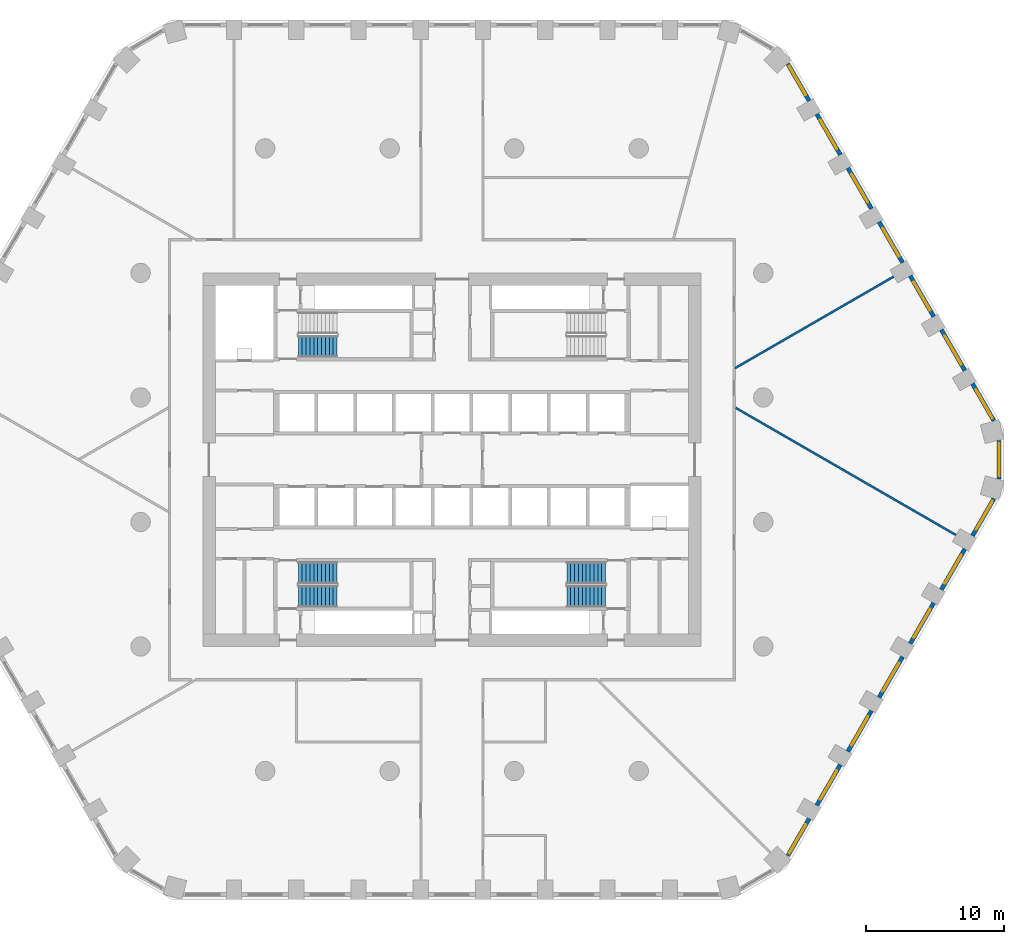
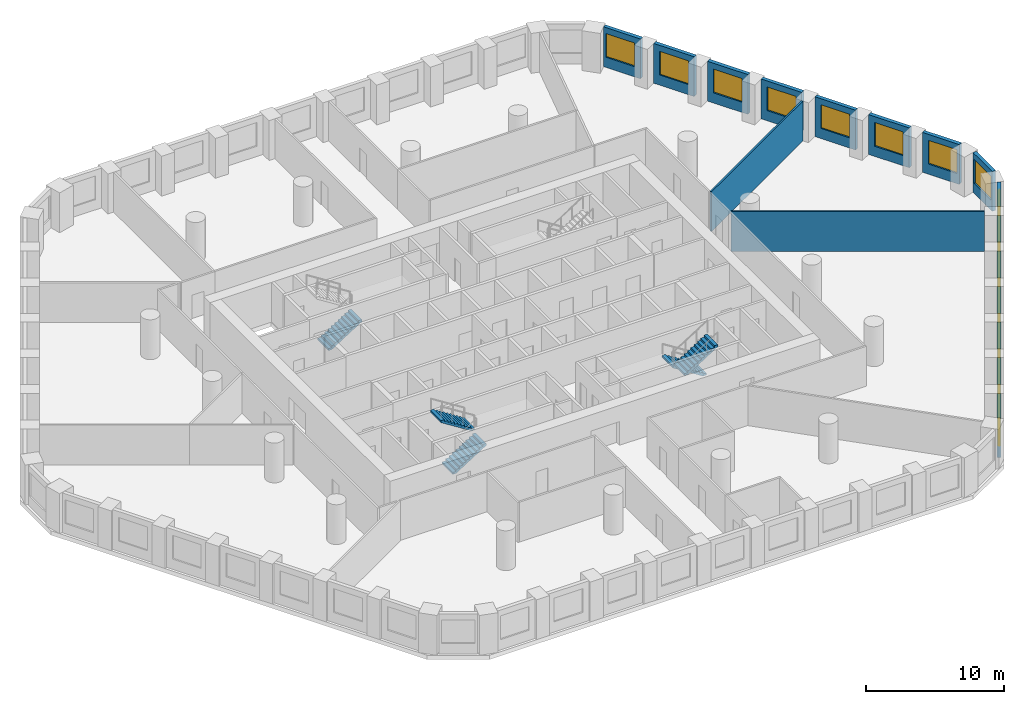
# One storey, part 8 of 10: 17 walls, 15 windows, 5 stair flights, 15 openings, 3 elements without a shape of their own.
"""IFC4 building model written with IfcOpenShell, lengths in metres."""

from ifc_helpers import new_model, si_unit, direction, frame, frame_2d, origin, place, context, subcontext, project, spatial, polyline, rectangle, outline, extrude, material, layer, layer_set, type_object, element, fill, aggregate, save


model = new_model("IFC4")

# Units and contexts
model_context = context("Model", 3, precision=1e-05, world=origin(), true_north=direction((0.0, 1.0)))
body_context = subcontext(model_context, "Body", "Model", "MODEL_VIEW")
ifc_project = project(units=[si_unit("LENGTHUNIT", "METRE"), si_unit("AREAUNIT", "SQUARE_METRE"), si_unit("VOLUMEUNIT", "CUBIC_METRE"), si_unit("PLANEANGLEUNIT", "RADIAN"), si_unit("MASSUNIT", "GRAM", prefix="KILO")], contexts=[model_context])

# Site, building, storey
site_placement = place(None, origin())
site = spatial("IfcSite", under=ifc_project, at=site_placement, CompositionType="ELEMENT")
building_placement = place(site_placement, origin())
building = spatial("IfcBuilding", under=site, at=building_placement, Name="Dhurran Vertical Campus", CompositionType="ELEMENT")
storey_placement = place(building_placement, frame((0.0, 0.0, 45.60009765625)))
storey = spatial("IfcBuildingStorey", under=building, at=storey_placement, Name="L10", CompositionType="ELEMENT", Elevation=45.60009765625)

# Wall, opening, window
ifc_material_1 = material(Name="Precast concrete C50/60", Category="concrete")
ifc_layer_1 = layer(ifc_material_1, 0.300048828125)
ifc_layer_set_1 = layer_set([ifc_layer_1], Name="Precast concrete C50/60")
wall_type_1 = type_object("IfcWallType", Name="Precast spandrel wall 300", PredefinedType="SOLIDWALL", material=ifc_layer_set_1)
wall_1_placement = place(storey_placement, frame((24.2734375, -28.611083984375, 0.0), z_axis=(0.0, 0.0, 1.0), x_axis=(0.499995950774, 0.866027741594, 0.0)))
wall_1 = element("IfcWall", 1, at=wall_1_placement, inside=storey, type_object=wall_type_1, Name="EW1 L10.10", PredefinedType="SOLIDWALL", context=body_context, shape_type="SweptSolid", body=[
    extrude(rectangle(XDim=3.0908203125, YDim=0.300048828125, at=frame_2d((1.54541015625, 0.0))), origin(), (0.0, 0.0, 1.0), 3.52490234375),
])
opening_1_placement = place(wall_1_placement, frame((0.191162109375, 0.0, 0.89990234375)))
opening_1 = element("IfcOpeningElement", 2, at=opening_1_placement, cuts=wall_1, Name="Opening WT1", PredefinedType="OPENING", context=body_context, shape_type="SweptSolid", body=[
    extrude(rectangle(XDim=2.39990234375, YDim=2.10009765625, at=frame_2d((1.199951171875, 1.050048828125))), frame((0.0, 0.159912109375, 0.0), z_axis=(0.0, -1.0, 0.0), x_axis=(1.0, 0.0, 0.0)), (0.0, 0.0, 1.0), 0.320068359375),
])
ifc_material_2 = material(Name="Aluminium frame with solar-control glass", Category="aluminium")
window_type = type_object("IfcWindowType", Name="Punched window 2400 x 2100", PartitioningType="SINGLE_PANEL", PredefinedType="WINDOW", material=ifc_material_2)
window_1_placement = place(opening_1_placement, origin())
window_1 = element("IfcWindow", 3, at=window_1_placement, inside=storey, type_object=window_type, Name="WT1 L10.10", OverallHeight=2.10009765625, OverallWidth=2.39990234375, PartitioningType="SINGLE_PANEL", PredefinedType="WINDOW", context=body_context, shape_type="SweptSolid", body=[
    extrude(rectangle(XDim=2.39990234375, YDim=2.10009765625, at=frame_2d((1.199951171875, 1.050048828125))), frame((0.0, 0.030029296875, 0.0), z_axis=(0.0, -1.0, 0.0), x_axis=(1.0, 0.0, 0.0)), (0.0, 0.0, 1.0), 0.06005859375),
])
fill(opening_1, window_1)

wall_2_placement = place(storey_placement, frame((26.369384765625, -24.98095703125, 0.0), z_axis=(0.0, 0.0, 1.0), x_axis=(0.499993955907, 0.866028893315, 0.0)))
wall_2 = element("IfcWall", 4, at=wall_2_placement, inside=storey, type_object=wall_type_1, Name="EW1 L10.11", PredefinedType="SOLIDWALL", context=body_context, shape_type="SweptSolid", body=[
    extrude(rectangle(XDim=3.39892578125, YDim=0.300048828125, at=frame_2d((1.699462890625, 0.0))), origin(), (0.0, 0.0, 1.0), 3.52490234375),
])
opening_2_placement = place(wall_2_placement, frame((0.49951171875, 0.0, 0.89990234375)))
opening_2 = element("IfcOpeningElement", 5, at=opening_2_placement, cuts=wall_2, Name="Opening WT1", PredefinedType="OPENING", context=body_context, shape_type="SweptSolid", body=[
    extrude(rectangle(XDim=2.39990234375, YDim=2.10009765625, at=frame_2d((1.199951171875, 1.050048828125))), frame((0.0, 0.159912109375, 0.0), z_axis=(0.0, -1.0, 0.0), x_axis=(1.0, 0.0, 0.0)), (0.0, 0.0, 1.0), 0.320068359375),
])
window_2_placement = place(opening_2_placement, origin())
window_2 = element("IfcWindow", 6, at=window_2_placement, inside=storey, type_object=window_type, Name="WT1 L10.11", OverallHeight=2.10009765625, OverallWidth=2.39990234375, PartitioningType="SINGLE_PANEL", PredefinedType="WINDOW", context=body_context, shape_type="SweptSolid", body=[
    extrude(rectangle(XDim=2.39990234375, YDim=2.10009765625, at=frame_2d((1.199951171875, 1.050048828125))), frame((0.0, 0.030029296875, 0.0), z_axis=(0.0, -1.0, 0.0), x_axis=(1.0, 0.0, 0.0)), (0.0, 0.0, 1.0), 0.06005859375),
])
fill(opening_2, window_2)

wall_3_placement = place(storey_placement, frame((28.619384765625, -21.083740234375, 0.0), z_axis=(0.0, 0.0, 1.0), x_axis=(0.499993955907, 0.866028893315, 0.0)))
wall_3 = element("IfcWall", 7, at=wall_3_placement, inside=storey, type_object=wall_type_1, Name="EW1 L10.12", PredefinedType="SOLIDWALL", context=body_context, shape_type="SweptSolid", body=[
    extrude(rectangle(XDim=3.39892578125, YDim=0.300048828125, at=frame_2d((1.699462890625, 0.0))), origin(), (0.0, 0.0, 1.0), 3.52490234375),
])
opening_3_placement = place(wall_3_placement, frame((0.49951171875, 0.0, 0.89990234375)))
opening_3 = element("IfcOpeningElement", 8, at=opening_3_placement, cuts=wall_3, Name="Opening WT1", PredefinedType="OPENING", context=body_context, shape_type="SweptSolid", body=[
    extrude(rectangle(XDim=2.39990234375, YDim=2.10009765625, at=frame_2d((1.199951171875, 1.050048828125))), frame((0.0, 0.159912109375, 0.0), z_axis=(0.0, -1.0, 0.0), x_axis=(1.0, 0.0, 0.0)), (0.0, 0.0, 1.0), 0.320068359375),
])
window_3_placement = place(opening_3_placement, origin())
window_3 = element("IfcWindow", 9, at=window_3_placement, inside=storey, type_object=window_type, Name="WT1 L10.12", OverallHeight=2.10009765625, OverallWidth=2.39990234375, PartitioningType="SINGLE_PANEL", PredefinedType="WINDOW", context=body_context, shape_type="SweptSolid", body=[
    extrude(rectangle(XDim=2.39990234375, YDim=2.10009765625, at=frame_2d((1.199951171875, 1.050048828125))), frame((0.0, 0.030029296875, 0.0), z_axis=(0.0, -1.0, 0.0), x_axis=(1.0, 0.0, 0.0)), (0.0, 0.0, 1.0), 0.06005859375),
])
fill(opening_3, window_3)

wall_4_placement = place(storey_placement, frame((30.869384765625, -17.186767578125, 0.0), z_axis=(0.0, 0.0, 1.0), x_axis=(0.499993955907, 0.866028893315, 0.0)))
wall_4 = element("IfcWall", 10, at=wall_4_placement, inside=storey, type_object=wall_type_1, Name="EW1 L10.13", PredefinedType="SOLIDWALL", context=body_context, shape_type="SweptSolid", body=[
    extrude(rectangle(XDim=3.39892578125, YDim=0.300048828125, at=frame_2d((1.699462890625, 0.0))), origin(), (0.0, 0.0, 1.0), 3.52490234375),
])
opening_4_placement = place(wall_4_placement, frame((0.49951171875, 0.0, 0.89990234375)))
opening_4 = element("IfcOpeningElement", 11, at=opening_4_placement, cuts=wall_4, Name="Opening WT1", PredefinedType="OPENING", context=body_context, shape_type="SweptSolid", body=[
    extrude(rectangle(XDim=2.39990234375, YDim=2.10009765625, at=frame_2d((1.199951171875, 1.050048828125))), frame((0.0, 0.159912109375, 0.0), z_axis=(0.0, -1.0, 0.0), x_axis=(1.0, 0.0, 0.0)), (0.0, 0.0, 1.0), 0.320068359375),
])
window_4_placement = place(opening_4_placement, origin())
window_4 = element("IfcWindow", 12, at=window_4_placement, inside=storey, type_object=window_type, Name="WT1 L10.13", OverallHeight=2.10009765625, OverallWidth=2.39990234375, PartitioningType="SINGLE_PANEL", PredefinedType="WINDOW", context=body_context, shape_type="SweptSolid", body=[
    extrude(rectangle(XDim=2.39990234375, YDim=2.10009765625, at=frame_2d((1.199951171875, 1.050048828125))), frame((0.0, 0.030029296875, 0.0), z_axis=(0.0, -1.0, 0.0), x_axis=(1.0, 0.0, 0.0)), (0.0, 0.0, 1.0), 0.06005859375),
])
fill(opening_4, window_4)

wall_5_placement = place(storey_placement, frame((33.119384765625, -13.28955078125, 0.0), z_axis=(0.0, 0.0, 1.0), x_axis=(0.499993955907, 0.866028893315, 0.0)))
wall_5 = element("IfcWall", 13, at=wall_5_placement, inside=storey, type_object=wall_type_1, Name="EW1 L10.14", PredefinedType="SOLIDWALL", context=body_context, shape_type="SweptSolid", body=[
    extrude(rectangle(XDim=3.39892578125, YDim=0.300048828125, at=frame_2d((1.699462890625, 0.0))), origin(), (0.0, 0.0, 1.0), 3.52490234375),
])
opening_5_placement = place(wall_5_placement, frame((0.49951171875, 0.0, 0.89990234375)))
opening_5 = element("IfcOpeningElement", 14, at=opening_5_placement, cuts=wall_5, Name="Opening WT1", PredefinedType="OPENING", context=body_context, shape_type="SweptSolid", body=[
    extrude(rectangle(XDim=2.39990234375, YDim=2.10009765625, at=frame_2d((1.199951171875, 1.050048828125))), frame((0.0, 0.159912109375, 0.0), z_axis=(0.0, -1.0, 0.0), x_axis=(1.0, 0.0, 0.0)), (0.0, 0.0, 1.0), 0.320068359375),
])
window_5_placement = place(opening_5_placement, origin())
window_5 = element("IfcWindow", 15, at=window_5_placement, inside=storey, type_object=window_type, Name="WT1 L10.14", OverallHeight=2.10009765625, OverallWidth=2.39990234375, PartitioningType="SINGLE_PANEL", PredefinedType="WINDOW", context=body_context, shape_type="SweptSolid", body=[
    extrude(rectangle(XDim=2.39990234375, YDim=2.10009765625, at=frame_2d((1.199951171875, 1.050048828125))), frame((0.0, 0.030029296875, 0.0), z_axis=(0.0, -1.0, 0.0), x_axis=(1.0, 0.0, 0.0)), (0.0, 0.0, 1.0), 0.06005859375),
])
fill(opening_5, window_5)

wall_6_placement = place(storey_placement, frame((35.369384765625, -9.392578125, 0.0), z_axis=(0.0, 0.0, 1.0), x_axis=(0.499993955907, 0.866028893315, 0.0)))
wall_6 = element("IfcWall", 16, at=wall_6_placement, inside=storey, type_object=wall_type_1, Name="EW1 L10.15", PredefinedType="SOLIDWALL", context=body_context, shape_type="SweptSolid", body=[
    extrude(rectangle(XDim=3.39892578125, YDim=0.300048828125, at=frame_2d((1.699462890625, 0.0))), origin(), (0.0, 0.0, 1.0), 3.52490234375),
])
opening_6_placement = place(wall_6_placement, frame((0.49951171875, 0.0, 0.89990234375)))
opening_6 = element("IfcOpeningElement", 17, at=opening_6_placement, cuts=wall_6, Name="Opening WT1", PredefinedType="OPENING", context=body_context, shape_type="SweptSolid", body=[
    extrude(rectangle(XDim=2.39990234375, YDim=2.10009765625, at=frame_2d((1.199951171875, 1.050048828125))), frame((0.0, 0.159912109375, 0.0), z_axis=(0.0, -1.0, 0.0), x_axis=(1.0, 0.0, 0.0)), (0.0, 0.0, 1.0), 0.320068359375),
])
window_6_placement = place(opening_6_placement, origin())
window_6 = element("IfcWindow", 18, at=window_6_placement, inside=storey, type_object=window_type, Name="WT1 L10.15", OverallHeight=2.10009765625, OverallWidth=2.39990234375, PartitioningType="SINGLE_PANEL", PredefinedType="WINDOW", context=body_context, shape_type="SweptSolid", body=[
    extrude(rectangle(XDim=2.39990234375, YDim=2.10009765625, at=frame_2d((1.199951171875, 1.050048828125))), frame((0.0, 0.030029296875, 0.0), z_axis=(0.0, -1.0, 0.0), x_axis=(1.0, 0.0, 0.0)), (0.0, 0.0, 1.0), 0.06005859375),
])
fill(opening_6, window_6)

wall_7_placement = place(storey_placement, frame((37.619384765625, -5.495361328125, 0.0), z_axis=(0.0, 0.0, 1.0), x_axis=(0.49997090907, 0.866042198789, 0.0)))
wall_7 = element("IfcWall", 19, at=wall_7_placement, inside=storey, type_object=wall_type_1, Name="EW1 L10.16", PredefinedType="SOLIDWALL", context=body_context, shape_type="SweptSolid", body=[
    extrude(rectangle(XDim=3.090576171875, YDim=0.300048828125, at=frame_2d((1.54541015625, 0.0))), origin(), (0.0, 0.0, 1.0), 3.52490234375),
])
opening_7_placement = place(wall_7_placement, frame((0.49951171875, 0.0, 0.89990234375)))
opening_7 = element("IfcOpeningElement", 20, at=opening_7_placement, cuts=wall_7, Name="Opening WT1", PredefinedType="OPENING", context=body_context, shape_type="SweptSolid", body=[
    extrude(rectangle(XDim=2.39990234375, YDim=2.10009765625, at=frame_2d((1.199951171875, 1.050048828125))), frame((0.0, 0.159912109375, 0.0), z_axis=(0.0, -1.0, 0.0), x_axis=(1.0, 0.0, 0.0)), (0.0, 0.0, 1.0), 0.320068359375),
])
window_7_placement = place(opening_7_placement, origin())
window_7 = element("IfcWindow", 21, at=window_7_placement, inside=storey, type_object=window_type, Name="WT1 L10.16", OverallHeight=2.10009765625, OverallWidth=2.39990234375, PartitioningType="SINGLE_PANEL", PredefinedType="WINDOW", context=body_context, shape_type="SweptSolid", body=[
    extrude(rectangle(XDim=2.39990234375, YDim=2.10009765625, at=frame_2d((1.199951171875, 1.050048828125))), frame((0.0, 0.030029296875, 0.0), z_axis=(0.0, -1.0, 0.0), x_axis=(1.0, 0.0, 0.0)), (0.0, 0.0, 1.0), 0.06005859375),
])
fill(opening_7, window_7)

wall_8_placement = place(storey_placement, frame((39.547119140625, -1.39111328125, 0.0), z_axis=(0.0, 0.0, 1.0), x_axis=(0.0, 1.0, 0.0)))
wall_8 = element("IfcWall", 22, at=wall_8_placement, inside=storey, type_object=wall_type_1, Name="EW1 L10.17", PredefinedType="SOLIDWALL", context=body_context, shape_type="SweptSolid", body=[
    extrude(rectangle(XDim=2.7822265625, YDim=0.300048828125, at=frame_2d((1.39111328125, 0.0))), origin(), (0.0, 0.0, 1.0), 3.52490234375),
])
opening_8_placement = place(wall_8_placement, frame((0.191162109375, 0.0, 0.89990234375)))
opening_8 = element("IfcOpeningElement", 23, at=opening_8_placement, cuts=wall_8, Name="Opening WT1", PredefinedType="OPENING", context=body_context, shape_type="SweptSolid", body=[
    extrude(rectangle(XDim=2.39990234375, YDim=2.10009765625, at=frame_2d((1.199951171875, 1.050048828125))), frame((0.0, 0.159912109375, 0.0), z_axis=(0.0, -1.0, 0.0), x_axis=(1.0, 0.0, 0.0)), (0.0, 0.0, 1.0), 0.320068359375),
])
window_8_placement = place(opening_8_placement, origin())
window_8 = element("IfcWindow", 24, at=window_8_placement, inside=storey, type_object=window_type, Name="WT1 L10.17", OverallHeight=2.10009765625, OverallWidth=2.39990234375, PartitioningType="SINGLE_PANEL", PredefinedType="WINDOW", context=body_context, shape_type="SweptSolid", body=[
    extrude(rectangle(XDim=2.39990234375, YDim=2.10009765625, at=frame_2d((1.199951171875, 1.050048828125))), frame((0.0, 0.030029296875, 0.0), z_axis=(0.0, -1.0, 0.0), x_axis=(1.0, 0.0, 0.0)), (0.0, 0.0, 1.0), 0.06005859375),
])
fill(opening_8, window_8)

wall_9_placement = place(storey_placement, frame((39.16455078125, 2.81884765625, 0.0), z_axis=(0.0, 0.0, 1.0), x_axis=(-0.49997090907, 0.866042198789, 0.0)))
wall_9 = element("IfcWall", 25, at=wall_9_placement, inside=storey, type_object=wall_type_1, Name="EW1 L10.18", PredefinedType="SOLIDWALL", context=body_context, shape_type="SweptSolid", body=[
    extrude(rectangle(XDim=3.090576171875, YDim=0.300048828125, at=frame_2d((1.54541015625, 0.0))), origin(), (0.0, 0.0, 1.0), 3.52490234375),
])
opening_9_placement = place(wall_9_placement, frame((0.19091796875, 0.0, 0.89990234375)))
opening_9 = element("IfcOpeningElement", 26, at=opening_9_placement, cuts=wall_9, Name="Opening WT1", PredefinedType="OPENING", context=body_context, shape_type="SweptSolid", body=[
    extrude(rectangle(XDim=2.39990234375, YDim=2.10009765625, at=frame_2d((1.199951171875, 1.050048828125))), frame((0.0, 0.159912109375, 0.0), z_axis=(0.0, -1.0, 0.0), x_axis=(1.0, 0.0, 0.0)), (0.0, 0.0, 1.0), 0.320068359375),
])
window_9_placement = place(opening_9_placement, origin())
window_9 = element("IfcWindow", 27, at=window_9_placement, inside=storey, type_object=window_type, Name="WT1 L10.18", OverallHeight=2.10009765625, OverallWidth=2.39990234375, PartitioningType="SINGLE_PANEL", PredefinedType="WINDOW", context=body_context, shape_type="SweptSolid", body=[
    extrude(rectangle(XDim=2.39990234375, YDim=2.10009765625, at=frame_2d((1.199951171875, 1.050048828125))), frame((0.0, 0.030029296875, 0.0), z_axis=(0.0, -1.0, 0.0), x_axis=(1.0, 0.0, 0.0)), (0.0, 0.0, 1.0), 0.06005859375),
])
fill(opening_9, window_9)

wall_10_placement = place(storey_placement, frame((37.06884765625, 6.448974609375, 0.0), z_axis=(0.0, 0.0, 1.0), x_axis=(-0.499993955907, 0.866028893315, 0.0)))
wall_10 = element("IfcWall", 28, at=wall_10_placement, inside=storey, type_object=wall_type_1, Name="EW1 L10.19", PredefinedType="SOLIDWALL", context=body_context, shape_type="SweptSolid", body=[
    extrude(rectangle(XDim=3.39892578125, YDim=0.300048828125, at=frame_2d((1.699462890625, 0.0))), origin(), (0.0, 0.0, 1.0), 3.52490234375),
])
opening_10_placement = place(wall_10_placement, frame((0.49951171875, 0.0, 0.89990234375)))
opening_10 = element("IfcOpeningElement", 29, at=opening_10_placement, cuts=wall_10, Name="Opening WT1", PredefinedType="OPENING", context=body_context, shape_type="SweptSolid", body=[
    extrude(rectangle(XDim=2.39990234375, YDim=2.10009765625, at=frame_2d((1.199951171875, 1.050048828125))), frame((0.0, 0.159912109375, 0.0), z_axis=(0.0, -1.0, 0.0), x_axis=(1.0, 0.0, 0.0)), (0.0, 0.0, 1.0), 0.320068359375),
])
window_10_placement = place(opening_10_placement, origin())
window_10 = element("IfcWindow", 30, at=window_10_placement, inside=storey, type_object=window_type, Name="WT1 L10.19", OverallHeight=2.10009765625, OverallWidth=2.39990234375, PartitioningType="SINGLE_PANEL", PredefinedType="WINDOW", context=body_context, shape_type="SweptSolid", body=[
    extrude(rectangle(XDim=2.39990234375, YDim=2.10009765625, at=frame_2d((1.199951171875, 1.050048828125))), frame((0.0, 0.030029296875, 0.0), z_axis=(0.0, -1.0, 0.0), x_axis=(1.0, 0.0, 0.0)), (0.0, 0.0, 1.0), 0.06005859375),
])
fill(opening_10, window_10)

wall_11_placement = place(storey_placement, frame((34.81884765625, 10.345947265625, 0.0), z_axis=(0.0, 0.0, 1.0), x_axis=(-0.499993955907, 0.866028893315, 0.0)))
wall_11 = element("IfcWall", 31, at=wall_11_placement, inside=storey, type_object=wall_type_1, Name="EW1 L10.20", PredefinedType="SOLIDWALL", context=body_context, shape_type="SweptSolid", body=[
    extrude(rectangle(XDim=3.39892578125, YDim=0.300048828125, at=frame_2d((1.699462890625, 0.0))), origin(), (0.0, 0.0, 1.0), 3.52490234375),
])
opening_11_placement = place(wall_11_placement, frame((0.49951171875, 0.0, 0.89990234375)))
opening_11 = element("IfcOpeningElement", 32, at=opening_11_placement, cuts=wall_11, Name="Opening WT1", PredefinedType="OPENING", context=body_context, shape_type="SweptSolid", body=[
    extrude(rectangle(XDim=2.39990234375, YDim=2.10009765625, at=frame_2d((1.199951171875, 1.050048828125))), frame((0.0, 0.159912109375, 0.0), z_axis=(0.0, -1.0, 0.0), x_axis=(1.0, 0.0, 0.0)), (0.0, 0.0, 1.0), 0.320068359375),
])
window_11_placement = place(opening_11_placement, origin())
window_11 = element("IfcWindow", 33, at=window_11_placement, inside=storey, type_object=window_type, Name="WT1 L10.20", OverallHeight=2.10009765625, OverallWidth=2.39990234375, PartitioningType="SINGLE_PANEL", PredefinedType="WINDOW", context=body_context, shape_type="SweptSolid", body=[
    extrude(rectangle(XDim=2.39990234375, YDim=2.10009765625, at=frame_2d((1.199951171875, 1.050048828125))), frame((0.0, 0.030029296875, 0.0), z_axis=(0.0, -1.0, 0.0), x_axis=(1.0, 0.0, 0.0)), (0.0, 0.0, 1.0), 0.06005859375),
])
fill(opening_11, window_11)

wall_12_placement = place(storey_placement, frame((32.56884765625, 14.2431640625, 0.0), z_axis=(0.0, 0.0, 1.0), x_axis=(-0.499993955907, 0.866028893315, 0.0)))
wall_12 = element("IfcWall", 34, at=wall_12_placement, inside=storey, type_object=wall_type_1, Name="EW1 L10.21", PredefinedType="SOLIDWALL", context=body_context, shape_type="SweptSolid", body=[
    extrude(rectangle(XDim=3.39892578125, YDim=0.300048828125, at=frame_2d((1.699462890625, 0.0))), origin(), (0.0, 0.0, 1.0), 3.52490234375),
])
opening_12_placement = place(wall_12_placement, frame((0.49951171875, 0.0, 0.89990234375)))
opening_12 = element("IfcOpeningElement", 35, at=opening_12_placement, cuts=wall_12, Name="Opening WT1", PredefinedType="OPENING", context=body_context, shape_type="SweptSolid", body=[
    extrude(rectangle(XDim=2.39990234375, YDim=2.10009765625, at=frame_2d((1.199951171875, 1.050048828125))), frame((0.0, 0.159912109375, 0.0), z_axis=(0.0, -1.0, 0.0), x_axis=(1.0, 0.0, 0.0)), (0.0, 0.0, 1.0), 0.320068359375),
])
window_12_placement = place(opening_12_placement, origin())
window_12 = element("IfcWindow", 36, at=window_12_placement, inside=storey, type_object=window_type, Name="WT1 L10.21", OverallHeight=2.10009765625, OverallWidth=2.39990234375, PartitioningType="SINGLE_PANEL", PredefinedType="WINDOW", context=body_context, shape_type="SweptSolid", body=[
    extrude(rectangle(XDim=2.39990234375, YDim=2.10009765625, at=frame_2d((1.199951171875, 1.050048828125))), frame((0.0, 0.030029296875, 0.0), z_axis=(0.0, -1.0, 0.0), x_axis=(1.0, 0.0, 0.0)), (0.0, 0.0, 1.0), 0.06005859375),
])
fill(opening_12, window_12)

wall_13_placement = place(storey_placement, frame((30.31884765625, 18.14013671875, 0.0), z_axis=(0.0, 0.0, 1.0), x_axis=(-0.499993955907, 0.866028893315, 0.0)))
wall_13 = element("IfcWall", 37, at=wall_13_placement, inside=storey, type_object=wall_type_1, Name="EW1 L10.22", PredefinedType="SOLIDWALL", context=body_context, shape_type="SweptSolid", body=[
    extrude(rectangle(XDim=3.39892578125, YDim=0.300048828125, at=frame_2d((1.699462890625, 0.0))), origin(), (0.0, 0.0, 1.0), 3.52490234375),
])
opening_13_placement = place(wall_13_placement, frame((0.49951171875, 0.0, 0.89990234375)))
opening_13 = element("IfcOpeningElement", 38, at=opening_13_placement, cuts=wall_13, Name="Opening WT1", PredefinedType="OPENING", context=body_context, shape_type="SweptSolid", body=[
    extrude(rectangle(XDim=2.39990234375, YDim=2.10009765625, at=frame_2d((1.199951171875, 1.050048828125))), frame((0.0, 0.159912109375, 0.0), z_axis=(0.0, -1.0, 0.0), x_axis=(1.0, 0.0, 0.0)), (0.0, 0.0, 1.0), 0.320068359375),
])
window_13_placement = place(opening_13_placement, origin())
window_13 = element("IfcWindow", 39, at=window_13_placement, inside=storey, type_object=window_type, Name="WT1 L10.22", OverallHeight=2.10009765625, OverallWidth=2.39990234375, PartitioningType="SINGLE_PANEL", PredefinedType="WINDOW", context=body_context, shape_type="SweptSolid", body=[
    extrude(rectangle(XDim=2.39990234375, YDim=2.10009765625, at=frame_2d((1.199951171875, 1.050048828125))), frame((0.0, 0.030029296875, 0.0), z_axis=(0.0, -1.0, 0.0), x_axis=(1.0, 0.0, 0.0)), (0.0, 0.0, 1.0), 0.06005859375),
])
fill(opening_13, window_13)

wall_14_placement = place(storey_placement, frame((28.06884765625, 22.037353515625, 0.0), z_axis=(0.0, 0.0, 1.0), x_axis=(-0.499993955907, 0.866028893315, 0.0)))
wall_14 = element("IfcWall", 40, at=wall_14_placement, inside=storey, type_object=wall_type_1, Name="EW1 L10.23", PredefinedType="SOLIDWALL", context=body_context, shape_type="SweptSolid", body=[
    extrude(rectangle(XDim=3.39892578125, YDim=0.300048828125, at=frame_2d((1.699462890625, 0.0))), origin(), (0.0, 0.0, 1.0), 3.52490234375),
])
opening_14_placement = place(wall_14_placement, frame((0.49951171875, 0.0, 0.89990234375)))
opening_14 = element("IfcOpeningElement", 41, at=opening_14_placement, cuts=wall_14, Name="Opening WT1", PredefinedType="OPENING", context=body_context, shape_type="SweptSolid", body=[
    extrude(rectangle(XDim=2.39990234375, YDim=2.10009765625, at=frame_2d((1.199951171875, 1.050048828125))), frame((0.0, 0.159912109375, 0.0), z_axis=(0.0, -1.0, 0.0), x_axis=(1.0, 0.0, 0.0)), (0.0, 0.0, 1.0), 0.320068359375),
])
window_14_placement = place(opening_14_placement, origin())
window_14 = element("IfcWindow", 42, at=window_14_placement, inside=storey, type_object=window_type, Name="WT1 L10.23", OverallHeight=2.10009765625, OverallWidth=2.39990234375, PartitioningType="SINGLE_PANEL", PredefinedType="WINDOW", context=body_context, shape_type="SweptSolid", body=[
    extrude(rectangle(XDim=2.39990234375, YDim=2.10009765625, at=frame_2d((1.199951171875, 1.050048828125))), frame((0.0, 0.030029296875, 0.0), z_axis=(0.0, -1.0, 0.0), x_axis=(1.0, 0.0, 0.0)), (0.0, 0.0, 1.0), 0.06005859375),
])
fill(opening_14, window_14)

wall_15_placement = place(storey_placement, frame((25.81884765625, 25.934326171875, 0.0), z_axis=(0.0, 0.0, 1.0), x_axis=(-0.499995950774, 0.866027741594, 0.0)))
wall_15 = element("IfcWall", 43, at=wall_15_placement, inside=storey, type_object=wall_type_1, Name="EW1 L10.24", PredefinedType="SOLIDWALL", context=body_context, shape_type="SweptSolid", body=[
    extrude(rectangle(XDim=3.0908203125, YDim=0.300048828125, at=frame_2d((1.54541015625, 0.0))), origin(), (0.0, 0.0, 1.0), 3.52490234375),
])
opening_15_placement = place(wall_15_placement, frame((0.49951171875, 0.0, 0.89990234375)))
opening_15 = element("IfcOpeningElement", 44, at=opening_15_placement, cuts=wall_15, Name="Opening WT1", PredefinedType="OPENING", context=body_context, shape_type="SweptSolid", body=[
    extrude(rectangle(XDim=2.39990234375, YDim=2.10009765625, at=frame_2d((1.199951171875, 1.050048828125))), frame((0.0, 0.159912109375, 0.0), z_axis=(0.0, -1.0, 0.0), x_axis=(1.0, 0.0, 0.0)), (0.0, 0.0, 1.0), 0.320068359375),
])
window_15_placement = place(opening_15_placement, origin())
window_15 = element("IfcWindow", 45, at=window_15_placement, inside=storey, type_object=window_type, Name="WT1 L10.24", OverallHeight=2.10009765625, OverallWidth=2.39990234375, PartitioningType="SINGLE_PANEL", PredefinedType="WINDOW", context=body_context, shape_type="SweptSolid", body=[
    extrude(rectangle(XDim=2.39990234375, YDim=2.10009765625, at=frame_2d((1.199951171875, 1.050048828125))), frame((0.0, 0.030029296875, 0.0), z_axis=(0.0, -1.0, 0.0), x_axis=(1.0, 0.0, 0.0)), (0.0, 0.0, 1.0), 0.06005859375),
])
fill(opening_15, window_15)

# Walls
ifc_material_3 = material(Name="Gypsum board partition on steel studs", Category="steel")
ifc_layer_2 = layer(ifc_material_3, 0.14990234375)
ifc_layer_set_2 = layer_set([ifc_layer_2], Name="Gypsum board partition on steel studs")
wall_type_2 = type_object("IfcWallType", Name="fl-PW-150 fixed partition", PredefinedType="PARTITIONING", material=ifc_layer_set_2)
wall_16_placement = place(storey_placement, frame((20.5126953125, 3.74609375, 0.0), z_axis=(0.0, 0.0, 1.0), x_axis=(0.866010916479, -0.500025091909, 0.0)))
element("IfcWall", 46, at=wall_16_placement, inside=storey, type_object=wall_type_2, Name="Partition 10-41", PredefinedType="PARTITIONING", context=body_context, shape_type="SweptSolid", body=[
    extrude(rectangle(XDim=18.365234375, YDim=0.14990234375, at=frame_2d((9.1826171875, 0.0))), origin(), (0.0, 0.0, 1.0), 3.52490234375),
])
wall_17_placement = place(storey_placement, frame((31.91748046875, 13.231201171875, 0.0), z_axis=(0.0, 0.0, 1.0), x_axis=(-0.866032788616, -0.499987208879, 0.0)))
element("IfcWall", 47, at=wall_17_placement, inside=storey, type_object=wall_type_2, Name="Partition 10-43", PredefinedType="PARTITIONING", context=body_context, shape_type="SweptSolid", body=[
    extrude(rectangle(XDim=13.223876953125, YDim=0.14990234375, at=frame_2d((6.61181640625, 0.0))), origin(), (0.0, 0.0, 1.0), 3.52490234375),
])

# Stair, stair flight
ifc_material_4 = material(Name="Concrete C40/50", Category="concrete")
stair_type = type_object("IfcStairType", Name="co-ST-CORE", PredefinedType="HALF_TURN_STAIR", material=ifc_material_4)
stair_1_placement = place(storey_placement, origin())
stair_1 = element("IfcStair", 48, at=stair_1_placement, inside=storey, type_object=stair_type, Name="L10 Protected exit stair ST1", PredefinedType="HALF_TURN_STAIR")
ifc_material_5 = material(Name="Concrete C40/50", Category="concrete")
stair_flight_type = type_object("IfcStairFlightType", Name="co-SFL-RC", PredefinedType="STRAIGHT", material=ifc_material_5)
stair_flight_1_placement = place(storey_placement, frame((-11.10009765625, 8.175048828125, 0.0), z_axis=(0.0, 0.0, 1.0), x_axis=(1.0, 0.0, 0.0)))
stair_flight_1 = element("IfcStairFlight", 49, at=stair_flight_1_placement, type_object=stair_flight_type, Name="ST1 flight 1", NumberOfRisers=11, NumberOfTreads=10, PredefinedType="STRAIGHT", RiserHeight=0.177272727, TreadLength=0.28, context=body_context, shape_type="SweptSolid", body=[
    extrude(outline(polyline([(0.0, 0.0), (0.0, 0.17724609375), (0.280029296875, 0.17724609375), (0.280029296875, 0.3544921875), (0.56005859375, 0.3544921875), (0.56005859375, 0.53173828125), (0.840087890625, 0.53173828125), (0.840087890625, 0.708984375), (1.1201171875, 0.708984375), (1.1201171875, 0.886474609375), (1.39990234375, 0.886474609375), (1.39990234375, 1.063720703125), (1.679931640625, 1.063720703125), (1.679931640625, 1.240966796875), (1.9599609375, 1.240966796875), (1.9599609375, 1.418212890625), (2.239990234375, 1.418212890625), (2.239990234375, 1.595458984375), (2.52001953125, 1.595458984375), (2.52001953125, 1.772705078125), (2.800048828125, 1.772705078125), (2.800048828125, 1.949951171875), (2.800048828125, 1.59521484375), (0.2802734375, 0.0), (0.0, 0.0)])), frame((0.0, 0.77490234375, 0.0), z_axis=(0.0, -1.0, 0.0), x_axis=(1.0, 0.0, 0.0)), (0.0, 0.0, 1.0), 1.550048828125),
])
aggregate(stair_1, [stair_flight_1])

# Stair, stair flights
stair_2_placement = place(storey_placement, origin())
stair_2 = element("IfcStair", 50, at=stair_2_placement, inside=storey, type_object=stair_type, Name="L10 Protected exit stair ST3", PredefinedType="HALF_TURN_STAIR")
stair_flight_2_placement = place(storey_placement, frame((-11.10009765625, -9.875, 0.0), z_axis=(0.0, 0.0, 1.0), x_axis=(1.0, 0.0, 0.0)))
stair_flight_2 = element("IfcStairFlight", 51, at=stair_flight_2_placement, type_object=stair_flight_type, Name="ST3 flight 1", NumberOfRisers=11, NumberOfTreads=10, PredefinedType="STRAIGHT", RiserHeight=0.177272727, TreadLength=0.28, context=body_context, shape_type="SweptSolid", body=[
    extrude(outline(polyline([(0.0, 0.0), (0.0, 0.17724609375), (0.280029296875, 0.17724609375), (0.280029296875, 0.3544921875), (0.56005859375, 0.3544921875), (0.56005859375, 0.53173828125), (0.840087890625, 0.53173828125), (0.840087890625, 0.708984375), (1.1201171875, 0.708984375), (1.1201171875, 0.886474609375), (1.39990234375, 0.886474609375), (1.39990234375, 1.063720703125), (1.679931640625, 1.063720703125), (1.679931640625, 1.240966796875), (1.9599609375, 1.240966796875), (1.9599609375, 1.418212890625), (2.239990234375, 1.418212890625), (2.239990234375, 1.595458984375), (2.52001953125, 1.595458984375), (2.52001953125, 1.772705078125), (2.800048828125, 1.772705078125), (2.800048828125, 1.949951171875), (2.800048828125, 1.59521484375), (0.2802734375, 0.0), (0.0, 0.0)])), frame((0.0, 0.77490234375, 0.0), z_axis=(0.0, -1.0, 0.0), x_axis=(1.0, 0.0, 0.0)), (0.0, 0.0, 1.0), 1.550048828125),
])
stair_flight_3_placement = place(storey_placement, frame((-8.300048828125, -8.175048828125, 1.949951171875), z_axis=(0.0, 0.0, 1.0), x_axis=(-1.0, 0.0, 0.0)))
stair_flight_3 = element("IfcStairFlight", 52, at=stair_flight_3_placement, type_object=stair_flight_type, Name="ST3 flight 2", NumberOfRisers=11, NumberOfTreads=10, PredefinedType="STRAIGHT", RiserHeight=0.177272727, TreadLength=0.28, context=body_context, shape_type="SweptSolid", body=[
    extrude(outline(polyline([(0.0, 0.0), (0.0, 0.17724609375), (0.280029296875, 0.17724609375), (0.280029296875, 0.3544921875), (0.56005859375, 0.3544921875), (0.56005859375, 0.53173828125), (0.840087890625, 0.53173828125), (0.840087890625, 0.708984375), (1.1201171875, 0.708984375), (1.1201171875, 0.886474609375), (1.39990234375, 0.886474609375), (1.39990234375, 1.063720703125), (1.679931640625, 1.063720703125), (1.679931640625, 1.240966796875), (1.9599609375, 1.240966796875), (1.9599609375, 1.418212890625), (2.239990234375, 1.418212890625), (2.239990234375, 1.595458984375), (2.52001953125, 1.595458984375), (2.52001953125, 1.772705078125), (2.800048828125, 1.772705078125), (2.800048828125, 1.949951171875), (2.800048828125, 1.59521484375), (0.2802734375, 0.0), (0.0, 0.0)])), frame((0.0, 0.77490234375, 0.0), z_axis=(0.0, -1.0, 0.0), x_axis=(1.0, 0.0, 0.0)), (0.0, 0.0, 1.0), 1.550048828125),
])
aggregate(stair_2, [stair_flight_2, stair_flight_3])

stair_3_placement = place(storey_placement, origin())
stair_3 = element("IfcStair", 53, at=stair_3_placement, inside=storey, type_object=stair_type, Name="L10 Protected exit stair ST4", PredefinedType="HALF_TURN_STAIR")
stair_flight_4_placement = place(storey_placement, frame((11.10009765625, -8.175048828125, 0.0), z_axis=(0.0, 0.0, 1.0), x_axis=(-1.0, 0.0, 0.0)))
stair_flight_4 = element("IfcStairFlight", 54, at=stair_flight_4_placement, type_object=stair_flight_type, Name="ST4 flight 1", NumberOfRisers=11, NumberOfTreads=10, PredefinedType="STRAIGHT", RiserHeight=0.177272727, TreadLength=0.28, context=body_context, shape_type="SweptSolid", body=[
    extrude(outline(polyline([(0.0, 0.0), (0.0, 0.17724609375), (0.280029296875, 0.17724609375), (0.280029296875, 0.3544921875), (0.56005859375, 0.3544921875), (0.56005859375, 0.53173828125), (0.840087890625, 0.53173828125), (0.840087890625, 0.708984375), (1.1201171875, 0.708984375), (1.1201171875, 0.886474609375), (1.39990234375, 0.886474609375), (1.39990234375, 1.063720703125), (1.679931640625, 1.063720703125), (1.679931640625, 1.240966796875), (1.9599609375, 1.240966796875), (1.9599609375, 1.418212890625), (2.239990234375, 1.418212890625), (2.239990234375, 1.595458984375), (2.52001953125, 1.595458984375), (2.52001953125, 1.772705078125), (2.800048828125, 1.772705078125), (2.800048828125, 1.949951171875), (2.800048828125, 1.59521484375), (0.2802734375, 0.0), (0.0, 0.0)])), frame((0.0, 0.77490234375, 0.0), z_axis=(0.0, -1.0, 0.0), x_axis=(1.0, 0.0, 0.0)), (0.0, 0.0, 1.0), 1.550048828125),
])
stair_flight_5_placement = place(storey_placement, frame((8.300048828125, -9.875, 1.949951171875), z_axis=(0.0, 0.0, 1.0), x_axis=(1.0, 0.0, 0.0)))
stair_flight_5 = element("IfcStairFlight", 55, at=stair_flight_5_placement, type_object=stair_flight_type, Name="ST4 flight 2", NumberOfRisers=11, NumberOfTreads=10, PredefinedType="STRAIGHT", RiserHeight=0.177272727, TreadLength=0.28, context=body_context, shape_type="SweptSolid", body=[
    extrude(outline(polyline([(0.0, 0.0), (0.0, 0.17724609375), (0.280029296875, 0.17724609375), (0.280029296875, 0.3544921875), (0.56005859375, 0.3544921875), (0.56005859375, 0.53173828125), (0.840087890625, 0.53173828125), (0.840087890625, 0.708984375), (1.1201171875, 0.708984375), (1.1201171875, 0.886474609375), (1.39990234375, 0.886474609375), (1.39990234375, 1.063720703125), (1.679931640625, 1.063720703125), (1.679931640625, 1.240966796875), (1.9599609375, 1.240966796875), (1.9599609375, 1.418212890625), (2.239990234375, 1.418212890625), (2.239990234375, 1.595458984375), (2.52001953125, 1.595458984375), (2.52001953125, 1.772705078125), (2.800048828125, 1.772705078125), (2.800048828125, 1.949951171875), (2.800048828125, 1.59521484375), (0.2802734375, 0.0), (0.0, 0.0)])), frame((0.0, 0.77490234375, 0.0), z_axis=(0.0, -1.0, 0.0), x_axis=(1.0, 0.0, 0.0)), (0.0, 0.0, 1.0), 1.550048828125),
])
aggregate(stair_3, [stair_flight_4, stair_flight_5])

save(model, "model.ifc")
